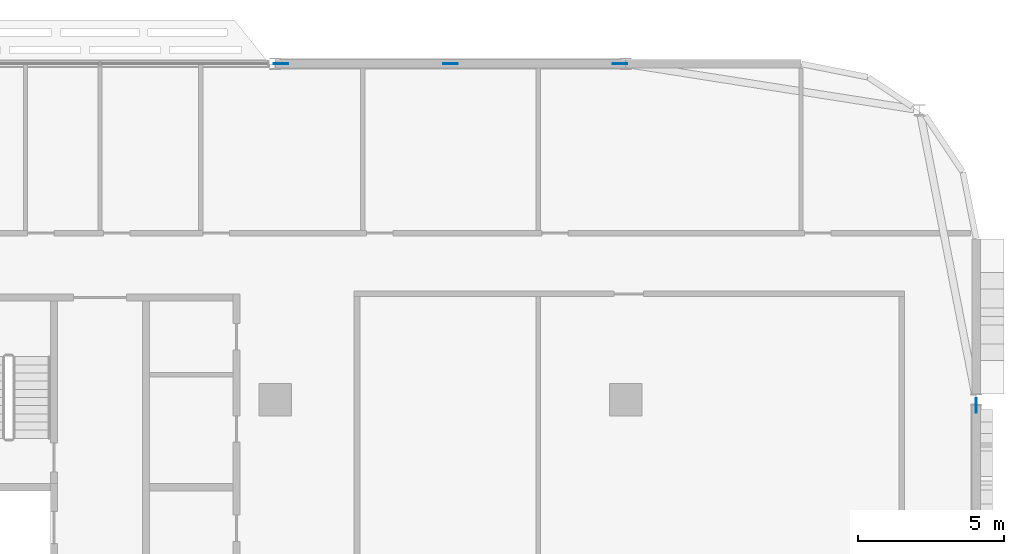
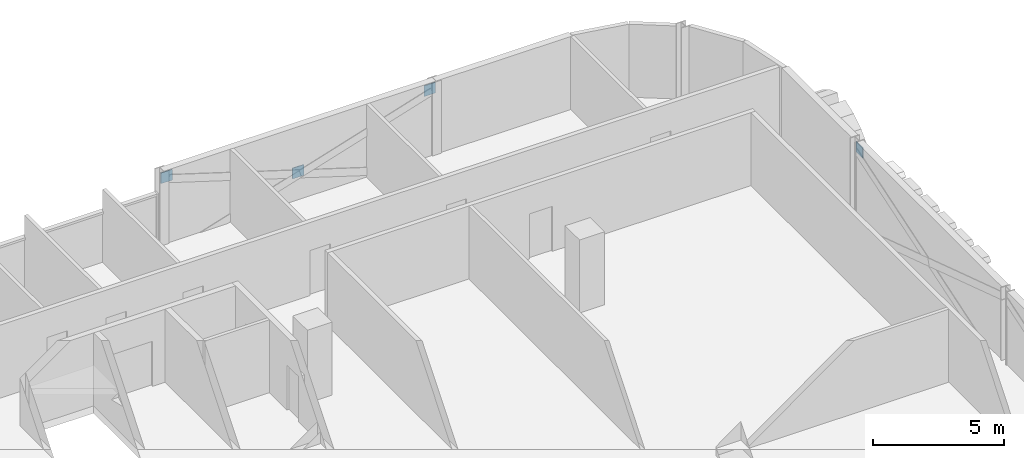
# One storey, part 24 of 30: 4 discrete accessories.
"""IFC4 building model written with IfcOpenShell, lengths in metres."""

from ifc_helpers import new_model, si_unit, direction, frame, origin, origin_2d, place, context, subcontext, project, spatial, rectangle, extrude, material, layer, layer_set, type_object, element, save


model = new_model("IFC4")

# Units and contexts
model_context = context("Model", 3, precision=1e-05, world=origin(), true_north=direction((0.0, 1.0)))
body_context = subcontext(model_context, "Body", "Model", "MODEL_VIEW")
ifc_project = project(units=[si_unit("LENGTHUNIT", "METRE"), si_unit("AREAUNIT", "SQUARE_METRE"), si_unit("VOLUMEUNIT", "CUBIC_METRE"), si_unit("PLANEANGLEUNIT", "RADIAN"), si_unit("MASSUNIT", "GRAM", prefix="KILO")], contexts=[model_context])

# Site, building, storey
site_placement = place(None, origin())
site = spatial("IfcSite", under=ifc_project, at=site_placement, CompositionType="ELEMENT")
building_placement = place(site_placement, origin())
building = spatial("IfcBuilding", under=site, at=building_placement, Name="Mahtab Terrace Research Tower", CompositionType="ELEMENT")
storey_placement = place(building_placement, frame((0.0, 0.0, 220.5)))
storey = spatial("IfcBuildingStorey", under=building, at=storey_placement, Name="L53", CompositionType="ELEMENT", Elevation=220.5)

# Discrete accessories
ifc_material = material(Name="Steel ASTM A992 Gr 50", Category="steel")
ifc_layer = layer(ifc_material, 0.030029296875)
ifc_layer_set = layer_set([ifc_layer], Name="Gusset plate 500x500x30")
discrete_accessory_type = type_object("IfcDiscreteAccessoryType", Name="Gusset plate 500x500x30", PredefinedType="USERDEFINED", material=ifc_layer_set)
for number, where, z_axis, x_axis, name in (
    (1, (30.20068359375, 23.0, 2.748291015625), (0.0, 0.0, 1.0), (1.0, 0.0, 0.0), "Gusset plate"),
    (2, (36.0, 23.0, 0.94091796875), (0.0, 0.0, 1.0), (1.0, 0.0, 0.0), "Gusset plate"),
    (3, (41.79931640625, 23.0, 2.748291015625), (0.0, 0.0, 1.0), (1.0, 0.0, 0.0), "Gusset plate"),
    (4, (54.0, 11.300537109375, 2.74609375), (0.0, 0.0, 1.0), (0.0, 1.0, 0.0), "Gusset plate"),
):
    element("IfcDiscreteAccessory", number, at=place(storey_placement, frame(where, z_axis=z_axis, x_axis=x_axis)), inside=storey, type_object=discrete_accessory_type, Name=name, ObjectType="GUSSET PLATE", PredefinedType="USERDEFINED", context=body_context, shape_type="SweptSolid", body=[
        extrude(rectangle(XDim=0.5, YDim=0.030029296875, at=origin_2d()), origin(), (0.0, 0.0, 1.0), 0.5),
    ])

save(model, "model.ifc")
